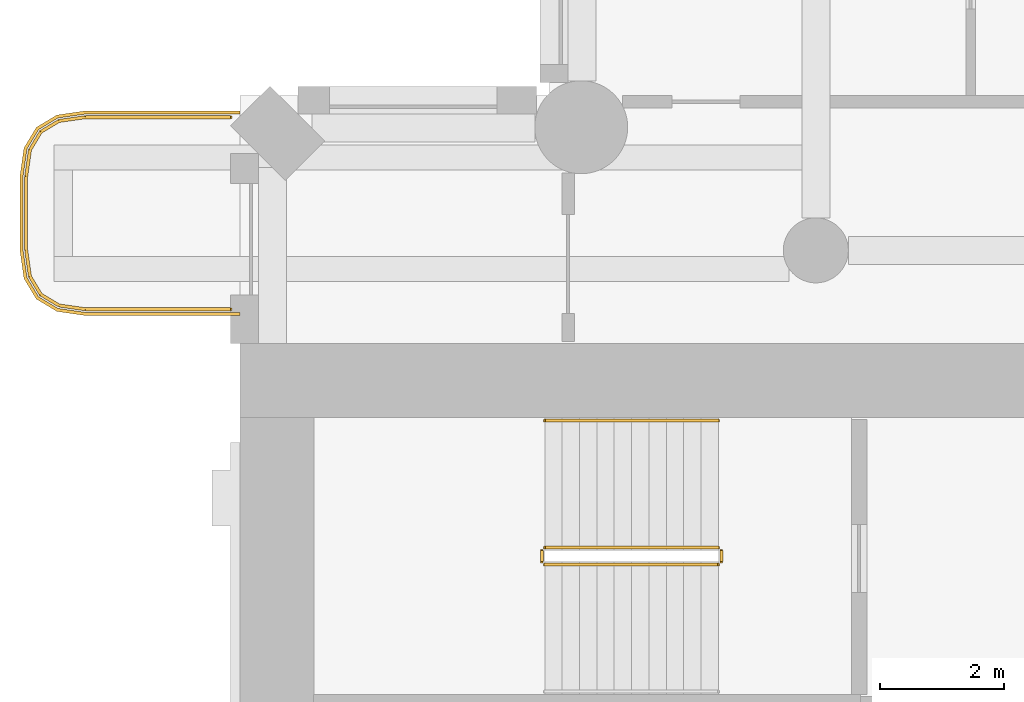
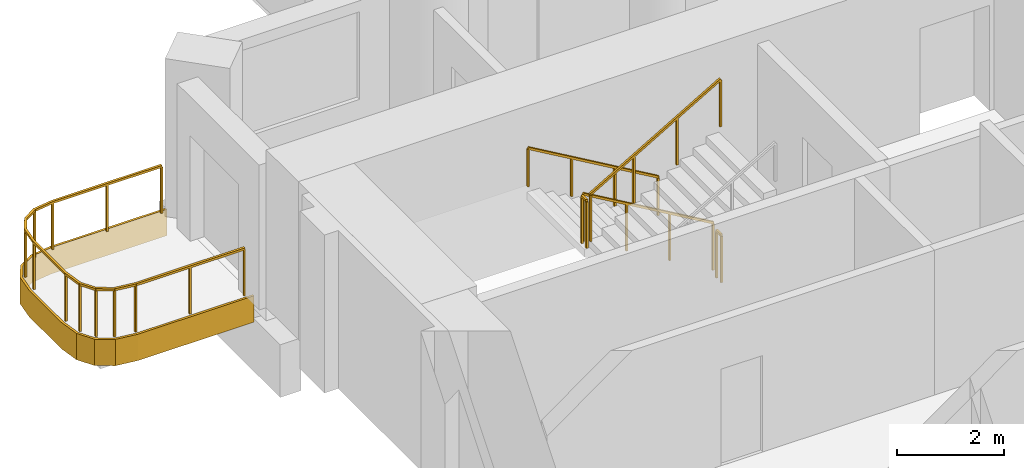
# One storey, part 16 of 19: 6 railings, 1 covering.
"""IFC4 building model written with IfcOpenShell, lengths in metres."""

from ifc_helpers import new_model, si_unit, direction, frame, origin, origin_2d, place, context, subcontext, project, spatial, polyline, rectangle, outline, extrude, material, layer, layer_set, type_object, element, save


model = new_model("IFC4")

# Units and contexts
model_context = context("Model", 3, precision=1e-05, world=origin(), true_north=direction((0.0, 1.0)))
body_context = subcontext(model_context, "Body", "Model", "MODEL_VIEW")
ifc_project = project(units=[si_unit("LENGTHUNIT", "METRE"), si_unit("AREAUNIT", "SQUARE_METRE"), si_unit("VOLUMEUNIT", "CUBIC_METRE"), si_unit("PLANEANGLEUNIT", "RADIAN"), si_unit("MASSUNIT", "GRAM", prefix="KILO")], contexts=[model_context])

# Site, building, storey
site_placement = place(None, origin())
site = spatial("IfcSite", under=ifc_project, at=site_placement, CompositionType="ELEMENT")
building_placement = place(site_placement, origin())
building = spatial("IfcBuilding", under=site, at=building_placement, Name="Cypress Arch Tower", CompositionType="ELEMENT")
storey_placement = place(building_placement, frame((0.0, 0.0, 105.89990234375)))
storey = spatial("IfcBuildingStorey", under=building, at=storey_placement, Name="L21", CompositionType="ELEMENT", Elevation=105.89990234375)

# Covering
ifc_material_1 = material(Name="White powder-coated aluminium fascia", Category="aluminium")
ifc_layer = layer(ifc_material_1, 0.050048828125)
ifc_layer_set = layer_set([ifc_layer], Name="Balcony fascia BF50")
covering_type = type_object("IfcCoveringType", Name="Balcony fascia BF50", PredefinedType="CLADDING", material=ifc_layer_set)
covering_placement = place(storey_placement, frame((0.0, 0.0, -0.599853515625)))
element("IfcCovering", 1, at=covering_placement, inside=storey, type_object=covering_type, Name="Balcony fascia L21-A00W0", PredefinedType="CLADDING", context=body_context, shape_type="SweptSolid", body=[
    extrude(outline(polyline([(-32.503662109375, 16.449951171875), (-32.95458984375, 16.514404296875), (-33.286376953125, 16.713623046875), (-33.485595703125, 17.04541015625), (-33.550048828125, 17.496337890625), (-33.550048828125, 18.70361328125), (-33.485595703125, 19.154541015625), (-33.286376953125, 19.486328125), (-32.95458984375, 19.685546875), (-32.503662109375, 19.75), (-30.0009765625, 19.75), (-30.0009765625, 19.699951171875), (-32.5, 19.699951171875), (-32.9375, 19.637451171875), (-33.25, 19.449951171875), (-33.4375, 19.137451171875), (-33.5, 18.699951171875), (-33.5, 17.5), (-33.4375, 17.0625), (-33.25, 16.75), (-32.9375, 16.5625), (-32.5, 16.5), (-30.0009765625, 16.5), (-30.0009765625, 16.449951171875), (-32.503662109375, 16.449951171875)])), origin(), (0.0, 0.0, 1.0), 0.599853515625),
])

# Railings
ifc_material_2 = material(Name="Powder-coated steel posts and rods, 100 mm clear between rods", Category="steel")
railing_type_1 = type_object("IfcRailingType", Name="Balcony guard GR1100", PredefinedType="GUARDRAIL", material=ifc_material_2)
railing_1_placement = place(storey_placement, frame((-30.14990234375, 16.550048828125, 0.0)))
element("IfcRailing", 2, at=railing_1_placement, inside=storey, type_object=railing_type_1, Name="Balcony guard L21-A00W0", PredefinedType="GUARDRAIL", context=body_context, shape_type="SweptSolid", body=[
    extrude(rectangle(XDim=0.050048828125, YDim=0.050048828125, at=origin_2d()), frame((0.0, 0.0, 1.0751953125), z_axis=(-1.0, 0.0, 0.0), x_axis=(0.0, -1.0, 0.0)), (0.0, 0.0, 1.0), 2.346435546875),
    extrude(rectangle(XDim=0.050048828125, YDim=0.050048828125, at=origin_2d()), frame((-2.346435546875, 0.0, 1.0751953125), z_axis=(-0.989960888959, 0.141341566184, 0.0), x_axis=(-0.141341566184, -0.989960888959, 0.0)), (0.0, 0.0, 1.0), 0.428466796875),
    extrude(rectangle(XDim=0.050048828125, YDim=0.050048828125, at=origin_2d()), frame((-2.7705078125, 0.060546875, 1.0751953125), z_axis=(-0.857681904839, 0.514180659021, 0.0), x_axis=(-0.514180659021, -0.857681904839, 0.0)), (0.0, 0.0, 1.0), 0.341796875),
    extrude(rectangle(XDim=0.050048828125, YDim=0.050048828125, at=origin_2d()), frame((-3.063720703125, 0.236328125, 1.0751953125), z_axis=(-0.514180659021, 0.857681904839, 0.0), x_axis=(-0.857681904839, -0.514180659021, 0.0)), (0.0, 0.0, 1.0), 0.341796875),
    extrude(rectangle(XDim=0.050048828125, YDim=0.050048828125, at=origin_2d()), frame((-3.239501953125, 0.529541015625, 1.0751953125), z_axis=(-0.141341566184, 0.989960888959, 0.0), x_axis=(-0.989960888959, -0.141341566184, 0.0)), (0.0, 0.0, 1.0), 0.428466796875),
    extrude(rectangle(XDim=0.050048828125, YDim=0.050048828125, at=origin_2d()), frame((-3.300048828125, 0.95361328125, 1.0751953125), z_axis=(0.0, 1.0, 0.0), x_axis=(-1.0, 0.0, 0.0)), (0.0, 0.0, 1.0), 1.19287109375),
    extrude(rectangle(XDim=0.050048828125, YDim=0.050048828125, at=origin_2d()), frame((-3.300048828125, 2.146484375, 1.0751953125), z_axis=(0.141421356237, 0.989949493661, 0.0), x_axis=(-0.989949493661, 0.141421356237, 0.0)), (0.0, 0.0, 1.0), 0.42822265625),
    extrude(rectangle(XDim=0.050048828125, YDim=0.050048828125, at=origin_2d()), frame((-3.239501953125, 2.5703125, 1.0751953125), z_axis=(0.514180659021, 0.857681904839, 0.0), x_axis=(-0.857681904839, 0.514180659021, 0.0)), (0.0, 0.0, 1.0), 0.341796875),
    extrude(rectangle(XDim=0.050048828125, YDim=0.050048828125, at=origin_2d()), frame((-3.063720703125, 2.863525390625, 1.0751953125), z_axis=(0.857681904839, 0.514180659021, 0.0), x_axis=(-0.514180659021, 0.857681904839, 0.0)), (0.0, 0.0, 1.0), 0.341796875),
    extrude(rectangle(XDim=0.050048828125, YDim=0.050048828125, at=origin_2d()), frame((-2.7705078125, 3.039306640625, 1.0751953125), z_axis=(0.989960888959, 0.141341566184, 0.0), x_axis=(-0.141341566184, 0.989960888959, 0.0)), (0.0, 0.0, 1.0), 0.428466796875),
    extrude(rectangle(XDim=0.050048828125, YDim=0.050048828125, at=origin_2d()), frame((-2.346435546875, 3.099853515625, 1.0751953125), z_axis=(1.0, 0.0, 0.0), x_axis=(0.0, 1.0, 0.0)), (0.0, 0.0, 1.0), 2.346435546875),
    extrude(rectangle(XDim=0.0400390625, YDim=0.0400390625, at=origin_2d()), origin(), (0.0, 0.0, 1.0), 1.050048828125),
    extrude(rectangle(XDim=0.0400390625, YDim=0.0400390625, at=origin_2d()), frame((-1.17333984375, 0.0, 0.0)), (0.0, 0.0, 1.0), 1.050048828125),
    extrude(rectangle(XDim=0.0400390625, YDim=0.0400390625, at=origin_2d()), frame((-2.346435546875, 0.0, 0.0)), (0.0, 0.0, 1.0), 1.050048828125),
    extrude(rectangle(XDim=0.0400390625, YDim=0.0400390625, at=origin_2d()), frame((-2.7705078125, 0.060546875, 0.0)), (0.0, 0.0, 1.0), 1.050048828125),
    extrude(rectangle(XDim=0.0400390625, YDim=0.0400390625, at=origin_2d()), frame((-3.063720703125, 0.236328125, 0.0)), (0.0, 0.0, 1.0), 1.050048828125),
    extrude(rectangle(XDim=0.0400390625, YDim=0.0400390625, at=origin_2d()), frame((-3.239501953125, 0.529541015625, 0.0)), (0.0, 0.0, 1.0), 1.050048828125),
    extrude(rectangle(XDim=0.0400390625, YDim=0.0400390625, at=origin_2d()), frame((-3.300048828125, 0.95361328125, 0.0)), (0.0, 0.0, 1.0), 1.050048828125),
    extrude(rectangle(XDim=0.0400390625, YDim=0.0400390625, at=origin_2d()), frame((-3.300048828125, 2.146484375, 0.0)), (0.0, 0.0, 1.0), 1.050048828125),
    extrude(rectangle(XDim=0.0400390625, YDim=0.0400390625, at=origin_2d()), frame((-3.239501953125, 2.5703125, 0.0)), (0.0, 0.0, 1.0), 1.050048828125),
    extrude(rectangle(XDim=0.0400390625, YDim=0.0400390625, at=origin_2d()), frame((-3.063720703125, 2.863525390625, 0.0)), (0.0, 0.0, 1.0), 1.050048828125),
    extrude(rectangle(XDim=0.0400390625, YDim=0.0400390625, at=origin_2d()), frame((-2.7705078125, 3.039306640625, 0.0)), (0.0, 0.0, 1.0), 1.050048828125),
    extrude(rectangle(XDim=0.0400390625, YDim=0.0400390625, at=origin_2d()), frame((-2.346435546875, 3.099853515625, 0.0)), (0.0, 0.0, 1.0), 1.050048828125),
    extrude(rectangle(XDim=0.0400390625, YDim=0.0400390625, at=origin_2d()), frame((-1.17333984375, 3.099853515625, 0.0)), (0.0, 0.0, 1.0), 1.050048828125),
    extrude(rectangle(XDim=0.0400390625, YDim=0.0400390625, at=origin_2d()), frame((0.0, 3.099853515625, 0.0)), (0.0, 0.0, 1.0), 1.050048828125),
])
ifc_material_3 = material(Name="Black powder-coated steel square bar 48 mm", Category="steel")
railing_type_2 = type_object("IfcRailingType", Name="Stair handrail HR1", PredefinedType="HANDRAIL", material=ifc_material_3)
railing_2_placement = place(storey_placement, frame((-22.27490234375, 14.75, 0.163818359375)))
element("IfcRailing", 3, at=railing_2_placement, inside=storey, type_object=railing_type_2, Name="L21 B stair handrail 1", PredefinedType="HANDRAIL", context=body_context, shape_type="SweptSolid", body=[
    extrude(rectangle(XDim=0.048095703125, YDim=0.048095703125, at=origin_2d()), frame((0.0, 0.0, 0.8759765625), z_axis=(-0.863393664356, 0.0, 0.504530851732), x_axis=(0.0, -1.0, 0.0)), (0.0, 0.0, 1.0), 3.2431640625),
    extrude(rectangle(XDim=0.0419921875, YDim=0.0419921875, at=origin_2d()), origin(), (0.0, 0.0, 1.0), 0.851806640625),
    extrude(rectangle(XDim=0.0419921875, YDim=0.0419921875, at=origin_2d()), frame((-0.933349609375, 0.0, 0.54541015625)), (0.0, 0.0, 1.0), 0.851806640625),
    extrude(rectangle(XDim=0.0419921875, YDim=0.0419921875, at=origin_2d()), frame((-1.86669921875, 0.0, 1.0908203125)), (0.0, 0.0, 1.0), 0.851806640625),
    extrude(rectangle(XDim=0.0419921875, YDim=0.0419921875, at=origin_2d()), frame((-2.800048828125, 0.0, 1.63623046875)), (0.0, 0.0, 1.0), 0.851806640625),
])
ifc_material_4 = material(Name="Black powder-coated steel balusters", Category="steel")
railing_type_3 = type_object("IfcRailingType", Name="Stair well guard G1", PredefinedType="GUARDRAIL", material=ifc_material_4)
railing_3_placement = place(storey_placement, frame((-22.27490234375, 12.699951171875, 0.163818359375)))
element("IfcRailing", 4, at=railing_3_placement, inside=storey, type_object=railing_type_3, Name="L21 B stair guard 1", PredefinedType="GUARDRAIL", context=body_context, shape_type="SweptSolid", body=[
    extrude(rectangle(XDim=0.048095703125, YDim=0.048095703125, at=origin_2d()), frame((0.0, 0.0, 1.076171875), z_axis=(-0.863393664356, 0.0, 0.504530851732), x_axis=(0.0, -1.0, 0.0)), (0.0, 0.0, 1.0), 3.2431640625),
    extrude(rectangle(XDim=0.0419921875, YDim=0.0419921875, at=origin_2d()), origin(), (0.0, 0.0, 1.0), 1.052001953125),
    extrude(rectangle(XDim=0.0419921875, YDim=0.0419921875, at=origin_2d()), frame((-0.933349609375, 0.0, 0.54541015625)), (0.0, 0.0, 1.0), 1.052001953125),
    extrude(rectangle(XDim=0.0419921875, YDim=0.0419921875, at=origin_2d()), frame((-1.86669921875, 0.0, 1.0908203125)), (0.0, 0.0, 1.0), 1.052001953125),
    extrude(rectangle(XDim=0.0419921875, YDim=0.0419921875, at=origin_2d()), frame((-2.800048828125, 0.0, 1.63623046875)), (0.0, 0.0, 1.0), 1.052001953125),
])
railing_4_placement = place(storey_placement, frame((-25.125, 12.64990234375, 1.800048828125)))
element("IfcRailing", 5, at=railing_4_placement, inside=storey, type_object=railing_type_3, Name="L21 B stair guard 2", PredefinedType="GUARDRAIL", context=body_context, shape_type="SweptSolid", body=[
    extrude(rectangle(XDim=0.048095703125, YDim=0.048095703125, at=origin_2d()), frame((0.0, 0.0, 1.076171875), z_axis=(0.0, -1.0, 0.0), x_axis=(1.0, 0.0, 0.0)), (0.0, 0.0, 1.0), 0.1748046875),
    extrude(rectangle(XDim=0.0419921875, YDim=0.0419921875, at=origin_2d()), origin(), (0.0, 0.0, 1.0), 1.052001953125),
    extrude(rectangle(XDim=0.0419921875, YDim=0.0419921875, at=origin_2d()), frame((0.0, -0.1748046875, 0.0)), (0.0, 0.0, 1.0), 1.052001953125),
])
railing_5_placement = place(storey_placement, frame((-25.074951171875, 12.425048828125, 1.963623046875)))
element("IfcRailing", 6, at=railing_5_placement, inside=storey, type_object=railing_type_3, Name="L21 B stair guard 3", PredefinedType="GUARDRAIL", context=body_context, shape_type="SweptSolid", body=[
    extrude(rectangle(XDim=0.048095703125, YDim=0.048095703125, at=origin_2d()), frame((0.0, 0.0, 1.076171875), z_axis=(0.863360870873, 0.0, 0.504586966384), x_axis=(0.0, 1.0, 0.0)), (0.0, 0.0, 1.0), 3.2431640625),
    extrude(rectangle(XDim=0.0419921875, YDim=0.0419921875, at=origin_2d()), origin(), (0.0, 0.0, 1.0), 1.052001953125),
    extrude(rectangle(XDim=0.0419921875, YDim=0.0419921875, at=origin_2d()), frame((0.933349609375, 0.0, 0.54541015625)), (0.0, 0.0, 1.0), 1.052001953125),
    extrude(rectangle(XDim=0.0419921875, YDim=0.0419921875, at=origin_2d()), frame((1.86669921875, 0.0, 1.091064453125)), (0.0, 0.0, 1.0), 1.052001953125),
    extrude(rectangle(XDim=0.0419921875, YDim=0.0419921875, at=origin_2d()), frame((2.800048828125, 0.0, 1.636474609375)), (0.0, 0.0, 1.0), 1.052001953125),
])
railing_6_placement = place(storey_placement, frame((-22.22509765625, 12.64990234375, 0.0)))
element("IfcRailing", 7, at=railing_6_placement, inside=storey, type_object=railing_type_3, Name="L21 B stair guard 4", PredefinedType="GUARDRAIL", context=body_context, shape_type="SweptSolid", body=[
    extrude(rectangle(XDim=0.048095703125, YDim=0.048095703125, at=origin_2d()), frame((0.0, 0.0, 1.076171875), z_axis=(0.0, -1.0, 0.0), x_axis=(1.0, 0.0, 0.0)), (0.0, 0.0, 1.0), 0.1748046875),
    extrude(rectangle(XDim=0.0419921875, YDim=0.0419921875, at=origin_2d()), origin(), (0.0, 0.0, 1.0), 1.052001953125),
    extrude(rectangle(XDim=0.0419921875, YDim=0.0419921875, at=origin_2d()), frame((0.0, -0.1748046875, 0.0)), (0.0, 0.0, 1.0), 1.052001953125),
])

save(model, "model.ifc")
